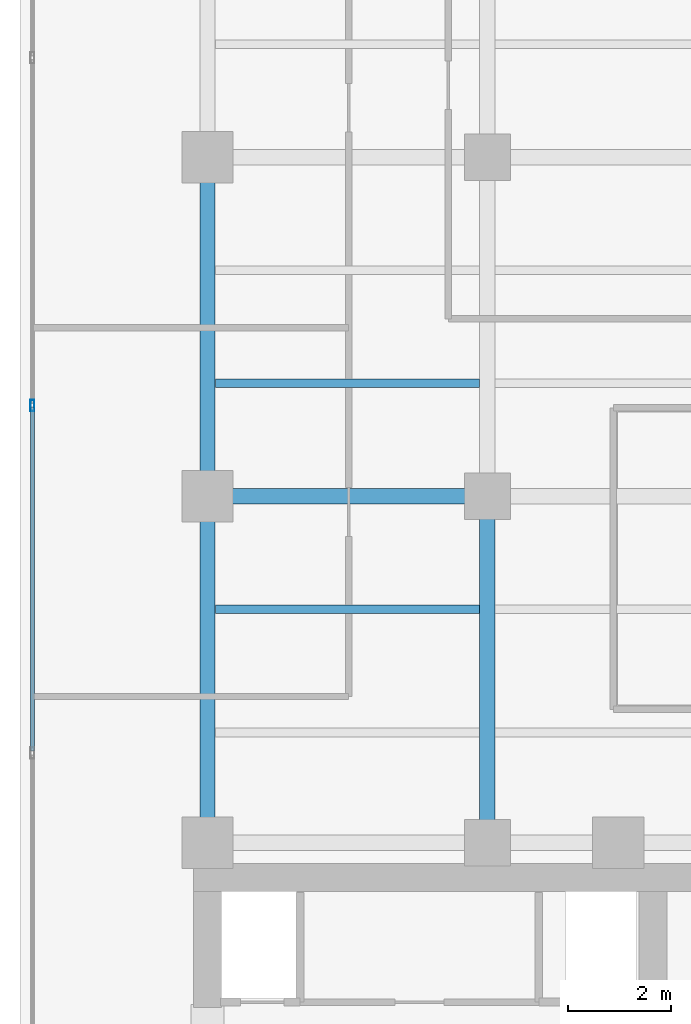
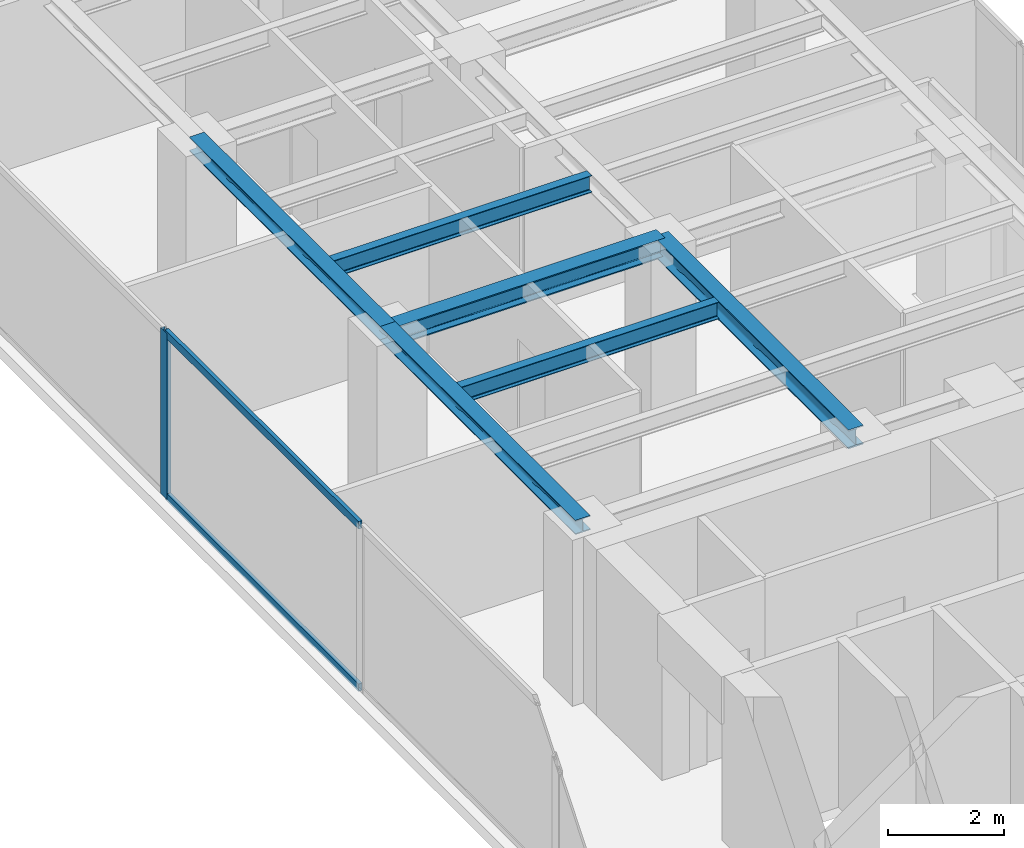
# One storey, part 8 of 22: 6 beams, 3 members, 1 element without a shape of its own.
"""IFC4 building model written with IfcOpenShell, lengths in metres."""

from ifc_helpers import new_model, si_unit, direction, frame, origin, origin_with_axes, origin_2d, place, context, subcontext, project, spatial, hollow_rectangle, i_section, extrude, source, transform, mapped, material, layer, layer_set, material_profile, profile_set, type_object, element, aggregate, save


model = new_model("IFC4")

# Units and contexts
model_context = context("Model", 3, precision=1e-05, world=origin(), true_north=direction((0.0, 1.0)))
body_context = subcontext(model_context, "Body", "Model", "MODEL_VIEW")
ifc_project = project(units=[si_unit("LENGTHUNIT", "METRE"), si_unit("AREAUNIT", "SQUARE_METRE"), si_unit("VOLUMEUNIT", "CUBIC_METRE"), si_unit("PLANEANGLEUNIT", "RADIAN"), si_unit("MASSUNIT", "GRAM", prefix="KILO")], contexts=[model_context])

# Site, building, storey
site_placement = place(None, origin())
site = spatial("IfcSite", under=ifc_project, at=site_placement, CompositionType="ELEMENT")
building_placement = place(site_placement, origin())
building = spatial("IfcBuilding", under=site, at=building_placement, Name="Kolvaren Waterfront Exchange", CompositionType="ELEMENT")
storey_placement = place(building_placement, frame((0.0, 0.0, 219.699951171875)))
storey = spatial("IfcBuildingStorey", under=building, at=storey_placement, Name="L56", CompositionType="ELEMENT", Elevation=219.699951171875)

# Beams
ifc_material_1 = material(Name="Steel S355", Category="steel")
ifc_material_profile_1 = material_profile(ifc_material_1, i_section(OverallWidth=0.300048828125, OverallDepth=0.300048828125, WebThickness=0.010986328125, FlangeThickness=0.01904296875, FilletRadius=0.027099609375, at=origin_2d()), Name="HEB300")
ifc_profile_set_1 = profile_set([ifc_material_profile_1], Name="Steel S355")
beam_type_1 = type_object("IfcBeamType", Name="STR-BM-HEB300", PredefinedType="SPANDREL", material=ifc_profile_set_1)
beam_1_placement = place(storey_placement, frame((7.449951171875, 24.449951171875, 3.35009765625), z_axis=(0.0, 1.0, 0.0), x_axis=(-1.0, 0.0, 0.0)))
element("IfcBeam", 1, at=beam_1_placement, inside=storey, type_object=beam_type_1, Name="L56 north-arm edge beam 1", PredefinedType="SPANDREL", context=body_context, shape_type="SweptSolid", body=[
    extrude(i_section(OverallWidth=0.300048828125, OverallDepth=0.300048828125, WebThickness=0.010986328125, FlangeThickness=0.01904296875, FilletRadius=0.027099609375, at=origin_2d()), origin(), (0.0, 0.0, 1.0), 6.75),
])
beam_2_placement = place(storey_placement, frame((7.449951171875, 31.199951171875, 3.35009765625), z_axis=(0.0, 1.0, 0.0), x_axis=(-1.0, 0.0, 0.0)))
element("IfcBeam", 2, at=beam_2_placement, inside=storey, type_object=beam_type_1, Name="L56 north-arm edge beam 2", PredefinedType="SPANDREL", context=body_context, shape_type="SweptSolid", body=[
    extrude(i_section(OverallWidth=0.300048828125, OverallDepth=0.300048828125, WebThickness=0.010986328125, FlangeThickness=0.01904296875, FilletRadius=0.027099609375, at=origin_2d()), origin(), (0.0, 0.0, 1.0), 6.60009765625),
])
ifc_material_profile_2 = material_profile(ifc_material_1, i_section(OverallWidth=0.300048828125, OverallDepth=0.39990234375, WebThickness=0.013427734375, FlangeThickness=0.02392578125, FilletRadius=0.027099609375, at=origin_2d()), Name="HEB400")
ifc_profile_set_2 = profile_set([ifc_material_profile_2], Name="Steel S355")
beam_type_2 = type_object("IfcBeamType", Name="STR-BM-HEB400", PredefinedType="BEAM", material=ifc_profile_set_2)
beam_3_placement = place(storey_placement, frame((7.449951171875, 31.199951171875, 3.300048828125), z_axis=(1.0, 0.0, 0.0), x_axis=(0.0, 1.0, 0.0)))
element("IfcBeam", 3, at=beam_3_placement, inside=storey, type_object=beam_type_2, Name="L56 north-arm girder 2A", PredefinedType="BEAM", context=body_context, shape_type="SweptSolid", body=[
    extrude(i_section(OverallWidth=0.300048828125, OverallDepth=0.39990234375, WebThickness=0.013427734375, FlangeThickness=0.02392578125, FilletRadius=0.027099609375, at=origin_2d()), origin(), (0.0, 0.0, 1.0), 5.449951171875),
])
beam_4_placement = place(storey_placement, frame((12.89990234375, 24.449951171875, 3.300048828125), z_axis=(0.0, 1.0, 0.0), x_axis=(-1.0, 0.0, 0.0)))
element("IfcBeam", 4, at=beam_4_placement, inside=storey, type_object=beam_type_2, Name="L56 north-arm edge beam 1", PredefinedType="BEAM", context=body_context, shape_type="SweptSolid", body=[
    extrude(i_section(OverallWidth=0.300048828125, OverallDepth=0.39990234375, WebThickness=0.013427734375, FlangeThickness=0.02392578125, FilletRadius=0.027099609375, at=origin_2d()), origin(), (0.0, 0.0, 1.0), 6.75),
])
ifc_material_profile_3 = material_profile(ifc_material_1, i_section(OverallWidth=0.169921875, OverallDepth=0.360107421875, WebThickness=0.008056640625, FlangeThickness=0.0126953125, FilletRadius=0.01806640625, at=origin_2d()), Name="IPE360")
ifc_profile_set_3 = profile_set([ifc_material_profile_3], Name="Steel S355")
beam_type_3 = type_object("IfcBeamType", Name="STR-BM-IPE360", PredefinedType="JOIST", material=ifc_profile_set_3)
for number, where, z_axis, x_axis, name in (
    (5, (7.60205078125, 29.0, 3.320068359375), (1.0, 0.0, 0.0), (0.0, 1.0, 0.0), "L56 north-arm composite joist 2A"),
    (6, (7.60205078125, 33.39990234375, 3.320068359375), (1.0, 0.0, 0.0), (0.0, 1.0, 0.0), "L56 north-arm composite joist 3A"),
):
    element("IfcBeam", number, at=place(storey_placement, frame(where, z_axis=z_axis, x_axis=x_axis)), inside=storey, type_object=beam_type_3, Name=name, PredefinedType="JOIST", context=body_context, shape_type="SweptSolid", body=[
        extrude(i_section(OverallWidth=0.169921875, OverallDepth=0.360107421875, WebThickness=0.008056640625, FlangeThickness=0.0126953125, FilletRadius=0.01806640625, at=origin_2d()), origin(), (0.0, 0.0, 1.0), 5.14599609375),
    ])

# Curtain wall, members
ifc_material_2 = material(Name="Anodised aluminium 6063-T6", Category="aluminium")
ifc_layer = layer(ifc_material_2, 0.219970703125, Name="Anodised aluminium 6063-T6")
ifc_layer_set = layer_set([ifc_layer], Name="Anodised aluminium 6063-T6")
curtain_wall_type = type_object("IfcCurtainWallType", Name="ARC-CW-SYS2", PredefinedType="USERDEFINED", material=ifc_layer_set)
curtain_wall_placement = place(storey_placement, origin())
curtain_wall = element("IfcCurtainWall", 7, at=curtain_wall_placement, inside=storey, type_object=curtain_wall_type, Name="L56 stick curtain wall CW2 (CW-L56-W)", ObjectType="STICK CURTAIN WALL", PredefinedType="USERDEFINED")
ifc_material_profile_4 = material_profile(ifc_material_2, hollow_rectangle(XDim=0.080078125, YDim=0.219970703125, WallThickness=0.0048828125, at=origin_2d()), Name="ALU-MUL-220x80x5")
ifc_profile_set_4 = profile_set([ifc_material_profile_4], Name="Anodised aluminium 6063-T6")
member_type_1 = type_object("IfcMemberType", Name="ARC-CWM-220", PredefinedType="MULLION", material=ifc_profile_set_4)
shared_shape_1 = source(origin_with_axes(), body_context, "Body", "SweptSolid", [
    extrude(hollow_rectangle(XDim=0.080078125, YDim=0.219970703125, WallThickness=0.0048828125, at=origin_2d()), origin(), (0.0, 0.0, 1.0), 3.5),
])
member_1_placement = place(storey_placement, frame((4.0400390625, 32.966552734375, 0.0), z_axis=(0.0, 0.0, 1.0), x_axis=(-1.0, 0.0, 0.0)))
member_1 = element("IfcMember", 8, at=member_1_placement, type_object=member_type_1, Name="CW2 mullion 5", PredefinedType="MULLION", context=body_context, shape_type="MappedRepresentation", body=[
    mapped(shared_shape_1, transform((0.0, 0.0, 0.0), x_axis=(1.0, 0.0, 0.0), y_axis=(0.0, 1.0, 0.0), z_axis=(0.0, 0.0, 1.0), scale=1.0)),
])
ifc_material_profile_5 = material_profile(ifc_material_2, hollow_rectangle(XDim=0.074951171875, YDim=0.159912109375, WallThickness=0.00439453125, at=origin_2d()), Name="ALU-TRN-160x75x4.5")
ifc_profile_set_5 = profile_set([ifc_material_profile_5], Name="Anodised aluminium 6063-T6")
member_type_2 = type_object("IfcMemberType", Name="ARC-CWT-160", PredefinedType="USERDEFINED", material=ifc_profile_set_5)
shared_shape_2 = source(origin_with_axes(), body_context, "Body", "SweptSolid", [
    extrude(hollow_rectangle(XDim=0.074951171875, YDim=0.159912109375, WallThickness=0.00439453125, at=origin_2d()), origin(), (0.0, 0.0, 1.0), 6.686767578125),
])
member_2_placement = place(storey_placement, frame((4.0400390625, 26.239990234375, 0.03759765625), z_axis=(0.0, 1.0, 0.0), x_axis=(-1.0, 0.0, 0.0)))
member_2 = element("IfcMember", 9, at=member_2_placement, type_object=member_type_2, Name="CW2 transom 4.1", ObjectType="TRANSOM", PredefinedType="USERDEFINED", context=body_context, shape_type="MappedRepresentation", body=[
    mapped(shared_shape_2, transform((0.0, 0.0, 0.0), x_axis=(1.0, 0.0, 0.0), y_axis=(0.0, 1.0, 0.0), z_axis=(0.0, 0.0, 1.0), scale=1.0)),
])
member_3_placement = place(storey_placement, frame((4.0400390625, 26.239990234375, 3.462646484375), z_axis=(0.0, 1.0, 0.0), x_axis=(-1.0, 0.0, 0.0)))
member_3 = element("IfcMember", 10, at=member_3_placement, type_object=member_type_2, Name="CW2 transom 4.2", ObjectType="TRANSOM", PredefinedType="USERDEFINED", context=body_context, shape_type="MappedRepresentation", body=[
    mapped(shared_shape_2, transform((0.0, 0.0, 0.0), x_axis=(1.0, 0.0, 0.0), y_axis=(0.0, 1.0, 0.0), z_axis=(0.0, 0.0, 1.0), scale=1.0)),
])
aggregate(curtain_wall, [member_1, member_2, member_3])

save(model, "model.ifc")
